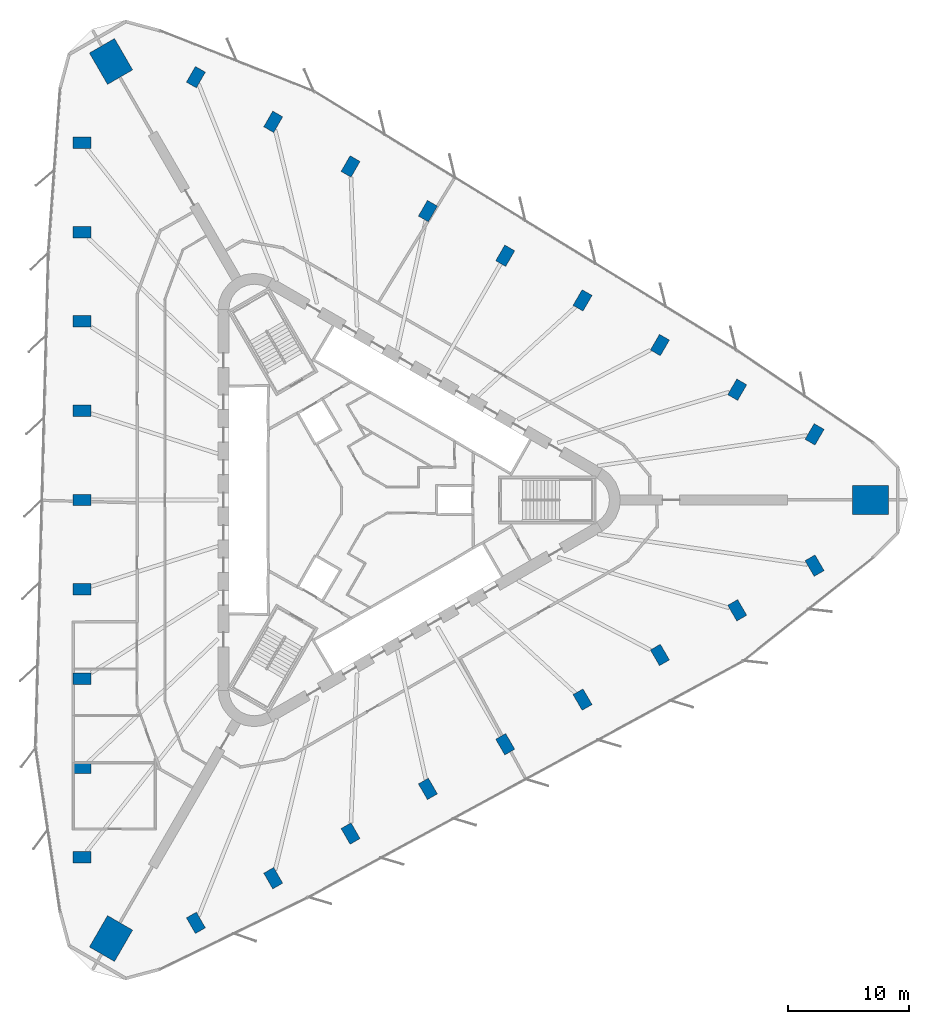
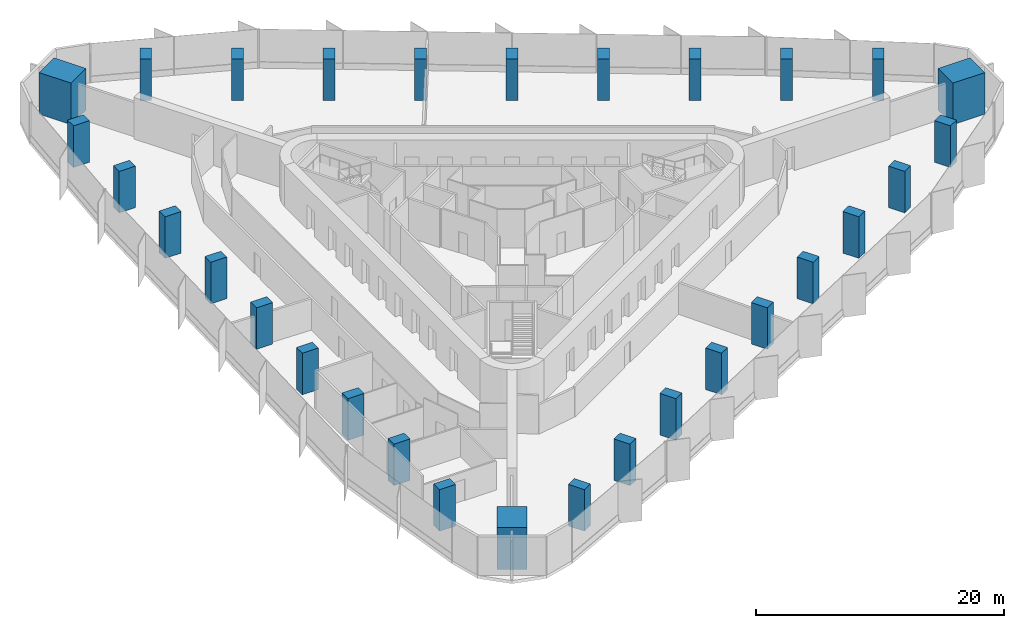
# One storey, part 1 of 13: 30 columns.
"""IFC4 building model written with IfcOpenShell, lengths in metres."""

from ifc_helpers import new_model, si_unit, direction, frame, origin, origin_2d, place, context, subcontext, project, spatial, rectangle, extrude, material, material_profile, profile_set, type_object, element, save


model = new_model("IFC4")

# Units and contexts
model_context = context("Model", 3, precision=1e-05, world=origin(), true_north=direction((0.0, 1.0)))
body_context = subcontext(model_context, "Body", "Model", "MODEL_VIEW")
ifc_project = project(units=[si_unit("LENGTHUNIT", "METRE"), si_unit("AREAUNIT", "SQUARE_METRE"), si_unit("VOLUMEUNIT", "CUBIC_METRE"), si_unit("PLANEANGLEUNIT", "RADIAN"), si_unit("MASSUNIT", "GRAM", prefix="KILO")], contexts=[model_context])

# Site, building, storey
site_placement = place(None, origin())
site = spatial("IfcSite", under=ifc_project, at=site_placement, CompositionType="ELEMENT")
building_placement = place(site_placement, origin())
building = spatial("IfcBuilding", under=site, at=building_placement, Name="Tanit Gate Tower", CompositionType="ELEMENT")
storey_placement = place(building_placement, frame((0.0, 0.0, 66.0)))
storey = spatial("IfcBuildingStorey", under=building, at=storey_placement, Name="L12", CompositionType="ELEMENT", Elevation=66.0)

# Columns
ifc_material_1 = material(Name="Concrete C70/85", Category="concrete")
ifc_material_profile_1 = material_profile(ifc_material_1, rectangle(XDim=3.0, YDim=2.39990234375, at=origin_2d()), Name="RC 3000x2400")
ifc_profile_set_1 = profile_set([ifc_material_profile_1], Name="Concrete C70/85")
column_type_1 = type_object("IfcColumnType", Name="MEGA COLUMN 3000x2400 C70/85", PredefinedType="COLUMN", material=ifc_profile_set_1)
for number, where, z_axis, x_axis, name in (
    (1, (41.91357421875, 0.0, 0.0), (0.0, 0.0, 1.0), (1.0, 0.0, 0.0), "MEGA COLUMN"),
    (2, (-20.956787109375, 36.29833984375, 0.0), (0.0, 0.0, 1.0), (-0.5, 0.866025403784, 0.0), "MEGA COLUMN"),
    (3, (-20.956787109375, -36.29833984375, 0.0), (0.0, 0.0, 1.0), (-0.5, -0.866025403784, 0.0), "MEGA COLUMN"),
):
    element("IfcColumn", number, at=place(storey_placement, frame(where, z_axis=z_axis, x_axis=x_axis)), inside=storey, type_object=column_type_1, Name=name, PredefinedType="COLUMN", context=body_context, shape_type="SweptSolid", body=[
        extrude(rectangle(XDim=3.0, YDim=2.39990234375, at=origin_2d()), origin(), (0.0, 0.0, 1.0), 4.10009765625),
    ])
ifc_material_2 = material(Name="Concrete C60/75", Category="concrete")
ifc_material_profile_2 = material_profile(ifc_material_2, rectangle(XDim=1.5, YDim=0.949951171875, at=origin_2d()), Name="RC 1500x950")
ifc_profile_set_2 = profile_set([ifc_material_profile_2], Name="Concrete C60/75")
column_type_2 = type_object("IfcColumnType", Name="PERIMETER COLUMN 1500x950 C60/75", PredefinedType="COLUMN", material=ifc_profile_set_2)
for number, where, z_axis, x_axis, name in (
    (4, (-23.344482421875, 29.56591796875, 0.0), (0.0, 0.0, 1.0), (-1.0, 0.0, 0.0), "PERIMETER COLUMN"),
    (5, (-23.344482421875, 22.17431640625, 0.0), (0.0, 0.0, 1.0), (-1.0, 0.0, 0.0), "PERIMETER COLUMN"),
    (6, (-23.344482421875, 14.782958984375, 0.0), (0.0, 0.0, 1.0), (-1.0, 0.0, 0.0), "PERIMETER COLUMN"),
    (7, (-23.344482421875, 7.391357421875, 0.0), (0.0, 0.0, 1.0), (-1.0, 0.0, 0.0), "PERIMETER COLUMN"),
    (8, (-23.344482421875, 0.0, 0.0), (0.0, 0.0, 1.0), (-1.0, 0.0, 0.0), "PERIMETER COLUMN"),
    (9, (-23.344482421875, -7.391357421875, 0.0), (0.0, 0.0, 1.0), (-1.0, 0.0, 0.0), "PERIMETER COLUMN"),
    (10, (-23.344482421875, -14.782958984375, 0.0), (0.0, 0.0, 1.0), (-1.0, 0.0, 0.0), "PERIMETER COLUMN"),
    (11, (-23.344482421875, -22.17431640625, 0.0), (0.0, 0.0, 1.0), (-1.0, 0.0, 0.0), "PERIMETER COLUMN"),
    (12, (-23.344482421875, -29.56591796875, 0.0), (0.0, 0.0, 1.0), (-1.0, 0.0, 0.0), "PERIMETER COLUMN"),
    (13, (37.277099609375, 5.43408203125, 0.0), (0.0, 0.0, 1.0), (0.5, 0.866025403784, 0.0), "PERIMETER COLUMN"),
    (14, (30.875732421875, 9.1298828125, 0.0), (0.0, 0.0, 1.0), (0.5, 0.866025403784, 0.0), "PERIMETER COLUMN"),
    (15, (24.474609375, 12.825439453125, 0.0), (0.0, 0.0, 1.0), (0.5, 0.866025403784, 0.0), "PERIMETER COLUMN"),
    (16, (18.073486328125, 16.521240234375, 0.0), (0.0, 0.0, 1.0), (0.5, 0.866025403784, 0.0), "PERIMETER COLUMN"),
    (17, (11.67236328125, 20.217041015625, 0.0), (0.0, 0.0, 1.0), (0.5, 0.866025403784, 0.0), "PERIMETER COLUMN"),
    (18, (5.27099609375, 23.91259765625, 0.0), (0.0, 0.0, 1.0), (0.5, 0.866025403784, 0.0), "PERIMETER COLUMN"),
    (19, (-1.130126953125, 27.6083984375, 0.0), (0.0, 0.0, 1.0), (0.5, 0.866025403784, 0.0), "PERIMETER COLUMN"),
    (20, (-7.53125, 31.30419921875, 0.0), (0.0, 0.0, 1.0), (0.5, 0.866025403784, 0.0), "PERIMETER COLUMN"),
    (21, (-13.9326171875, 35.0, 0.0), (0.0, 0.0, 1.0), (0.5, 0.866025403784, 0.0), "PERIMETER COLUMN"),
    (22, (-13.9326171875, -35.0, 0.0), (0.0, 0.0, 1.0), (0.5, -0.866025403784, 0.0), "PERIMETER COLUMN"),
    (23, (-7.53125, -31.30419921875, 0.0), (0.0, 0.0, 1.0), (0.5, -0.866025403784, 0.0), "PERIMETER COLUMN"),
    (24, (-1.130126953125, -27.6083984375, 0.0), (0.0, 0.0, 1.0), (0.5, -0.866025403784, 0.0), "PERIMETER COLUMN"),
    (25, (5.27099609375, -23.91259765625, 0.0), (0.0, 0.0, 1.0), (0.5, -0.866025403784, 0.0), "PERIMETER COLUMN"),
    (26, (11.67236328125, -20.217041015625, 0.0), (0.0, 0.0, 1.0), (0.5, -0.866025403784, 0.0), "PERIMETER COLUMN"),
    (27, (18.073486328125, -16.521240234375, 0.0), (0.0, 0.0, 1.0), (0.5, -0.866025403784, 0.0), "PERIMETER COLUMN"),
    (28, (24.474609375, -12.825439453125, 0.0), (0.0, 0.0, 1.0), (0.5, -0.866025403784, 0.0), "PERIMETER COLUMN"),
    (29, (30.875732421875, -9.1298828125, 0.0), (0.0, 0.0, 1.0), (0.5, -0.866025403784, 0.0), "PERIMETER COLUMN"),
    (30, (37.277099609375, -5.43408203125, 0.0), (0.0, 0.0, 1.0), (0.5, -0.866025403784, 0.0), "PERIMETER COLUMN"),
):
    element("IfcColumn", number, at=place(storey_placement, frame(where, z_axis=z_axis, x_axis=x_axis)), inside=storey, type_object=column_type_2, Name=name, PredefinedType="COLUMN", context=body_context, shape_type="SweptSolid", body=[
        extrude(rectangle(XDim=1.5, YDim=0.949951171875, at=origin_2d()), origin(), (0.0, 0.0, 1.0), 4.10009765625),
    ])

save(model, "model.ifc")
